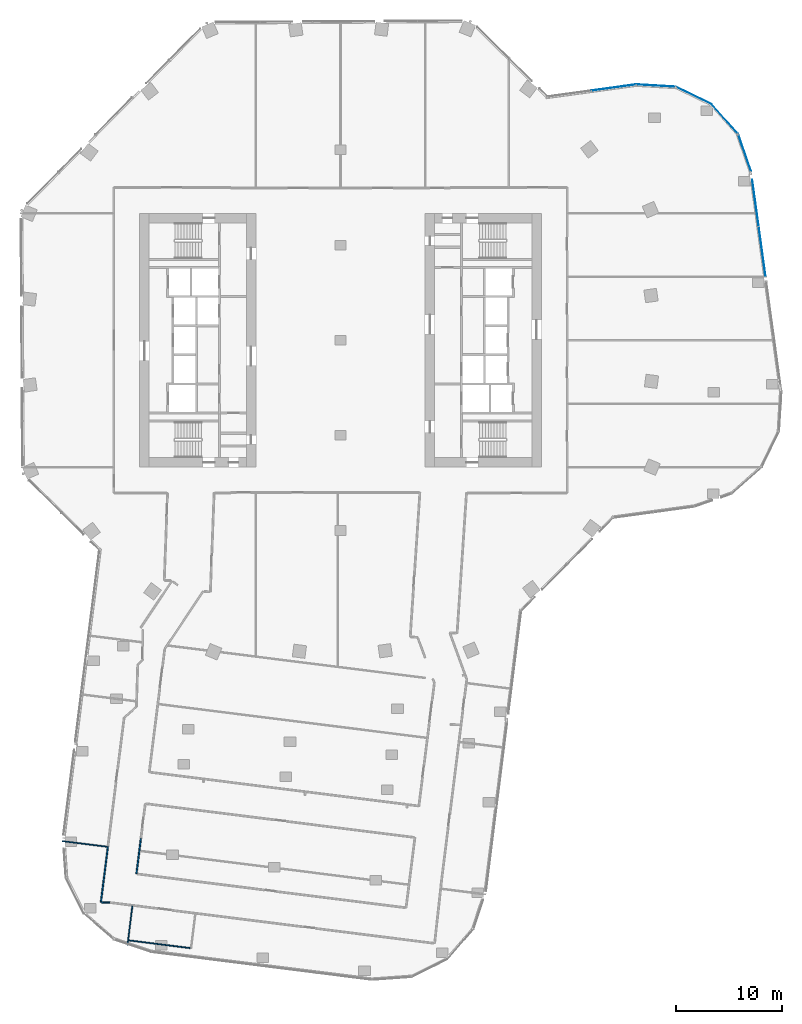
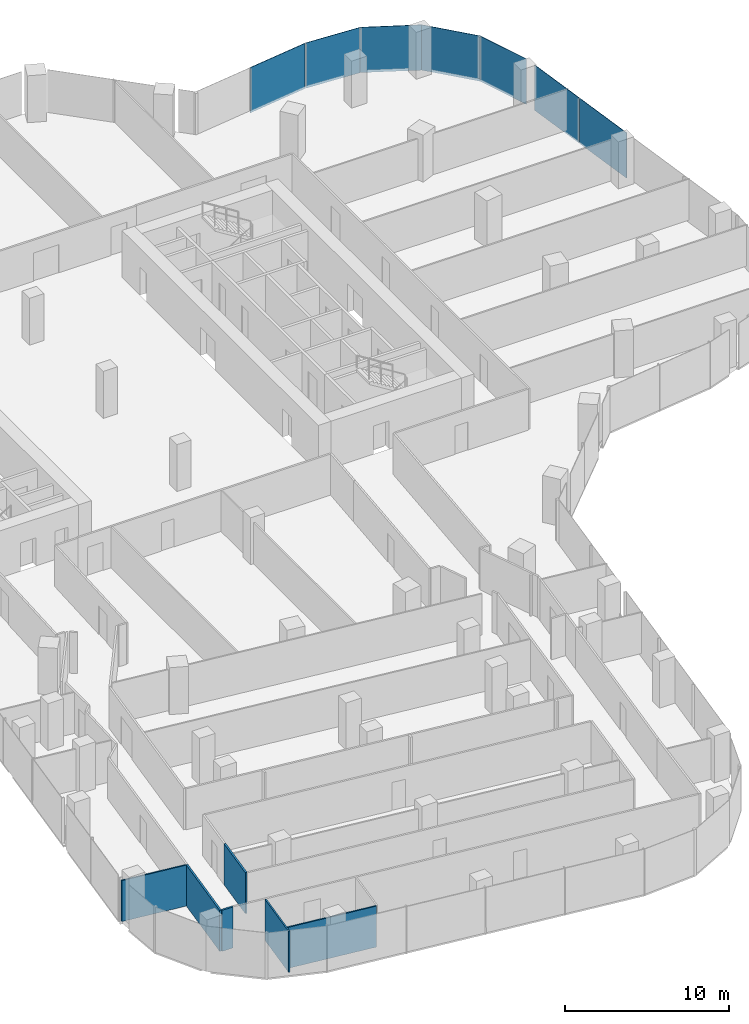
# One storey, part 18 of 27: 7 plates, 6 walls, 6 elements without a shape of their own.
"""IFC4 building model written with IfcOpenShell, lengths in metres."""

from ifc_helpers import new_model, si_unit, direction, frame, frame_2d, origin, origin_2d, place, context, subcontext, project, spatial, rectangle, extrude, material, layer, layer_set, type_object, element, aggregate, save


model = new_model("IFC4")

# Units and contexts
model_context = context("Model", 3, precision=1e-05, world=origin(), true_north=direction((0.0, 1.0)))
body_context = subcontext(model_context, "Body", "Model", "MODEL_VIEW")
ifc_project = project(units=[si_unit("LENGTHUNIT", "METRE"), si_unit("AREAUNIT", "SQUARE_METRE"), si_unit("VOLUMEUNIT", "CUBIC_METRE"), si_unit("PLANEANGLEUNIT", "RADIAN"), si_unit("MASSUNIT", "GRAM", prefix="KILO")], contexts=[model_context])

# Site, building, storey
site_placement = place(None, origin())
site = spatial("IfcSite", under=ifc_project, at=site_placement, CompositionType="ELEMENT")
building_placement = place(site_placement, origin())
building = spatial("IfcBuilding", under=site, at=building_placement, Name="Orlundy Tower", CompositionType="ELEMENT")
storey_placement = place(building_placement, frame((0.0, 0.0, 195.60009765625)))
storey = spatial("IfcBuildingStorey", under=building, at=storey_placement, Name="L51", CompositionType="ELEMENT", Elevation=195.60009765625)

# Curtain wall, plate
ifc_material_1 = material(Name="Aluminium bronze anodised", Category="aluminium")
curtain_wall_type = type_object("IfcCurtainWallType", Name="CW1 wall", PredefinedType="NOTDEFINED", material=ifc_material_1)
curtain_wall_1_placement = place(storey_placement, origin())
curtain_wall_1 = element("IfcCurtainWall", 1, at=curtain_wall_1_placement, inside=storey, type_object=curtain_wall_type, Name="CW1 run 06", PredefinedType="NOTDEFINED")
ifc_material_2 = material(Name="Tinted glass", Category="glass")
ifc_layer_1 = layer(ifc_material_2, 0.031982421875)
ifc_layer_set_1 = layer_set([ifc_layer_1], Name="CW1 glass panel 32")
plate_type = type_object("IfcPlateType", Name="CW1 glass panel 32", PredefinedType="CURTAIN_PANEL", material=ifc_layer_set_1)
plate_1_placement = place(storey_placement, frame((25.857421875, 23.9111328125, -0.300048828125), z_axis=(0.0, 0.0, 1.0), x_axis=(0.990683386349, 0.136185270904, 0.0)))
plate_1 = element("IfcPlate", 2, at=plate_1_placement, type_object=plate_type, Name="CW1 panel", PredefinedType="CURTAIN_PANEL", context=body_context, shape_type="SweptSolid", body=[
    extrude(rectangle(XDim=4.232177734375, YDim=0.031982421875, at=origin_2d()), origin(), (0.0, 0.0, 1.0), 3.3798828125),
])
aggregate(curtain_wall_1, [plate_1])

curtain_wall_2_placement = place(storey_placement, origin())
curtain_wall_2 = element("IfcCurtainWall", 3, at=curtain_wall_2_placement, inside=storey, type_object=curtain_wall_type, Name="CW1 run 07", PredefinedType="NOTDEFINED")
plate_2_placement = place(storey_placement, frame((29.865478515625, 24.090576171875, -0.300048828125), z_axis=(0.0, 0.0, 1.0), x_axis=(0.998236959791, -0.059354630041, 0.0)))
plate_2 = element("IfcPlate", 4, at=plate_2_placement, type_object=plate_type, Name="CW1 panel", PredefinedType="CURTAIN_PANEL", context=body_context, shape_type="SweptSolid", body=[
    extrude(rectangle(XDim=3.730224609375, YDim=0.031982421875, at=origin_2d()), origin(), (0.0, 0.0, 1.0), 3.3798828125),
])
aggregate(curtain_wall_2, [plate_2])

curtain_wall_3_placement = place(storey_placement, origin())
curtain_wall_3 = element("IfcCurtainWall", 5, at=curtain_wall_3_placement, inside=storey, type_object=curtain_wall_type, Name="CW1 run 08", PredefinedType="NOTDEFINED")
plate_3_placement = place(storey_placement, frame((33.423583984375, 23.155029296875, -0.300048828125), z_axis=(0.0, 0.0, 1.0), x_axis=(0.89933544334, -0.43725937423, 0.0)))
plate_3 = element("IfcPlate", 6, at=plate_3_placement, type_object=plate_type, Name="CW1 panel", PredefinedType="CURTAIN_PANEL", context=body_context, shape_type="SweptSolid", body=[
    extrude(rectangle(XDim=3.7724609375, YDim=0.031982421875, at=origin_2d()), origin(), (0.0, 0.0, 1.0), 3.3798828125),
])
aggregate(curtain_wall_3, [plate_3])

curtain_wall_4_placement = place(storey_placement, origin())
curtain_wall_4 = element("IfcCurtainWall", 7, at=curtain_wall_4_placement, inside=storey, type_object=curtain_wall_type, Name="CW1 run 09", PredefinedType="NOTDEFINED")
plate_4_placement = place(storey_placement, frame((36.37158203125, 20.919921875, -0.300048828125), z_axis=(0.0, 0.0, 1.0), x_axis=(0.663760711342, -0.747944996694, 0.0)))
plate_4 = element("IfcPlate", 8, at=plate_4_placement, type_object=plate_type, Name="CW1 panel", PredefinedType="CURTAIN_PANEL", context=body_context, shape_type="SweptSolid", body=[
    extrude(rectangle(XDim=3.771484375, YDim=0.031982421875, at=origin_2d()), origin(), (0.0, 0.0, 1.0), 3.3798828125),
])
aggregate(curtain_wall_4, [plate_4])

curtain_wall_5_placement = place(storey_placement, origin())
curtain_wall_5 = element("IfcCurtainWall", 9, at=curtain_wall_5_placement, inside=storey, type_object=curtain_wall_type, Name="CW1 run 010", PredefinedType="NOTDEFINED")
plate_5_placement = place(storey_placement, frame((38.233154296875, 17.746826171875, -0.300048828125), z_axis=(0.0, 0.0, 1.0), x_axis=(0.32697157273, -0.945034174317, 0.0)))
plate_5 = element("IfcPlate", 10, at=plate_5_placement, type_object=plate_type, Name="CW1 panel", PredefinedType="CURTAIN_PANEL", context=body_context, shape_type="SweptSolid", body=[
    extrude(rectangle(XDim=3.73046875, YDim=0.031982421875, at=origin_2d()), origin(), (0.0, 0.0, 1.0), 3.3798828125),
])
aggregate(curtain_wall_5, [plate_5])

# Curtain wall, plates
curtain_wall_6_placement = place(storey_placement, origin())
curtain_wall_6 = element("IfcCurtainWall", 11, at=curtain_wall_6_placement, inside=storey, type_object=curtain_wall_type, Name="CW1 run 011", PredefinedType="NOTDEFINED")
plate_6_placement = place(storey_placement, frame((39.2607421875, 12.983642578125, -0.300048828125), z_axis=(0.0, 0.0, 1.0), x_axis=(0.13628610677, -0.990669519619, 0.0)))
plate_6 = element("IfcPlate", 12, at=plate_6_placement, type_object=plate_type, Name="CW1 panel", PredefinedType="CURTAIN_PANEL", context=body_context, shape_type="SweptSolid", body=[
    extrude(rectangle(XDim=4.47265625, YDim=0.031982421875, at=origin_2d()), origin(), (0.0, 0.0, 1.0), 3.3798828125),
])
plate_7_placement = place(storey_placement, frame((39.890869140625, 8.4033203125, -0.300048828125), z_axis=(0.0, 0.0, 1.0), x_axis=(0.13628610677, -0.990669519619, 0.0)))
plate_7 = element("IfcPlate", 13, at=plate_7_placement, type_object=plate_type, Name="CW1 panel", PredefinedType="CURTAIN_PANEL", context=body_context, shape_type="SweptSolid", body=[
    extrude(rectangle(XDim=4.67431640625, YDim=0.031982421875, at=origin_2d()), origin(), (0.0, 0.0, 1.0), 3.3798828125),
])
aggregate(curtain_wall_6, [plate_6, plate_7])

# Walls
ifc_material_3 = material(Name="Gypsum board partition")
ifc_layer_2 = layer(ifc_material_3, 0.10009765625)
ifc_layer_set_2 = layer_set([ifc_layer_2], Name="Floor partition 100")
wall_type_1 = type_object("IfcWallType", Name="Floor partition 100", PredefinedType="PARTITIONING", material=ifc_layer_set_2)
wall_1_placement = place(storey_placement, frame((-20.044921875, -56.77490234375, 0.0), z_axis=(0.0, 0.0, 1.0), x_axis=(0.992184639026, -0.124778371847, 0.0)))
element("IfcWall", 14, at=wall_1_placement, inside=storey, type_object=wall_type_1, Name="wall-int-L51-006", PredefinedType="PARTITIONING", context=body_context, shape_type="SweptSolid", body=[
    extrude(rectangle(XDim=5.899169921875, YDim=0.10009765625, at=frame_2d((2.94970703125, 0.0))), origin(), (0.0, 0.0, 1.0), 3.059814453125),
])
wall_2_placement = place(storey_placement, frame((-26.31298828125, -47.386962890625, 0.0), z_axis=(0.0, 0.0, 1.0), x_axis=(0.992174773364, -0.124856794369, 0.0)))
element("IfcWall", 15, at=wall_2_placement, inside=storey, type_object=wall_type_1, Name="wall-int-L51-009", PredefinedType="PARTITIONING", context=body_context, shape_type="SweptSolid", body=[
    extrude(rectangle(XDim=4.2763671875, YDim=0.10009765625, at=frame_2d((2.13818359375, 0.0))), origin(), (0.0, 0.0, 1.0), 3.059814453125),
])
wall_3_placement = place(storey_placement, frame((-20.152099609375, -57.218994140625, 0.0), z_axis=(0.0, 0.0, 1.0), x_axis=(0.124656149898, 0.992200002163, 0.0)))
element("IfcWall", 16, at=wall_3_placement, inside=storey, type_object=wall_type_1, Name="wall-int-L51-058", PredefinedType="PARTITIONING", context=body_context, shape_type="SweptSolid", body=[
    extrude(rectangle(XDim=3.72314453125, YDim=0.10009765625, at=frame_2d((1.861572265625, 0.0))), origin(), (0.0, 0.0, 1.0), 3.059814453125),
])
ifc_material_4 = material(Name="Gypsum board partition, double layer")
ifc_layer_3 = layer(ifc_material_4, 0.125)
ifc_layer_set_3 = layer_set([ifc_layer_3], Name="Floor partition 125")
wall_type_2 = type_object("IfcWallType", Name="Floor partition 125", PredefinedType="PARTITIONING", material=ifc_layer_set_3)
wall_4_placement = place(storey_placement, frame((-22.60595703125, -53.18408203125, 0.0), z_axis=(0.0, 0.0, 1.0), x_axis=(0.999948794941, -0.010119658899, 0.0)))
element("IfcWall", 17, at=wall_4_placement, inside=storey, type_object=wall_type_2, Name="wall-int-L51-026", PredefinedType="PARTITIONING", context=body_context, shape_type="SweptSolid", body=[
    extrude(rectangle(XDim=0.77197265625, YDim=0.125, at=frame_2d((0.385986328125, 0.0))), origin(), (0.0, 0.0, 1.0), 3.059814453125),
])
wall_5_placement = place(storey_placement, frame((-18.884033203125, -47.14599609375, 0.0), z_axis=(0.0, 0.0, 1.0), x_axis=(-0.124739851626, -0.992189482617, 0.0)))
element("IfcWall", 18, at=wall_5_placement, inside=storey, type_object=wall_type_2, Name="wall-int-L51-055", PredefinedType="PARTITIONING", context=body_context, shape_type="SweptSolid", body=[
    extrude(rectangle(XDim=3.366455078125, YDim=0.125, at=frame_2d((1.68310546875, 0.0))), origin(), (0.0, 0.0, 1.0), 3.059814453125),
])
wall_6_placement = place(storey_placement, frame((-22.008056640625, -47.928955078125, 0.0), z_axis=(0.0, 0.0, 1.0), x_axis=(-0.124647679963, -0.992201066256, 0.0)))
element("IfcWall", 19, at=wall_6_placement, inside=storey, type_object=wall_type_2, Name="wall-int-L51-060", PredefinedType="PARTITIONING", context=body_context, shape_type="SweptSolid", body=[
    extrude(rectangle(XDim=5.294189453125, YDim=0.125, at=frame_2d((2.64697265625, 0.0))), origin(), (0.0, 0.0, 1.0), 3.059814453125),
])

save(model, "model.ifc")
